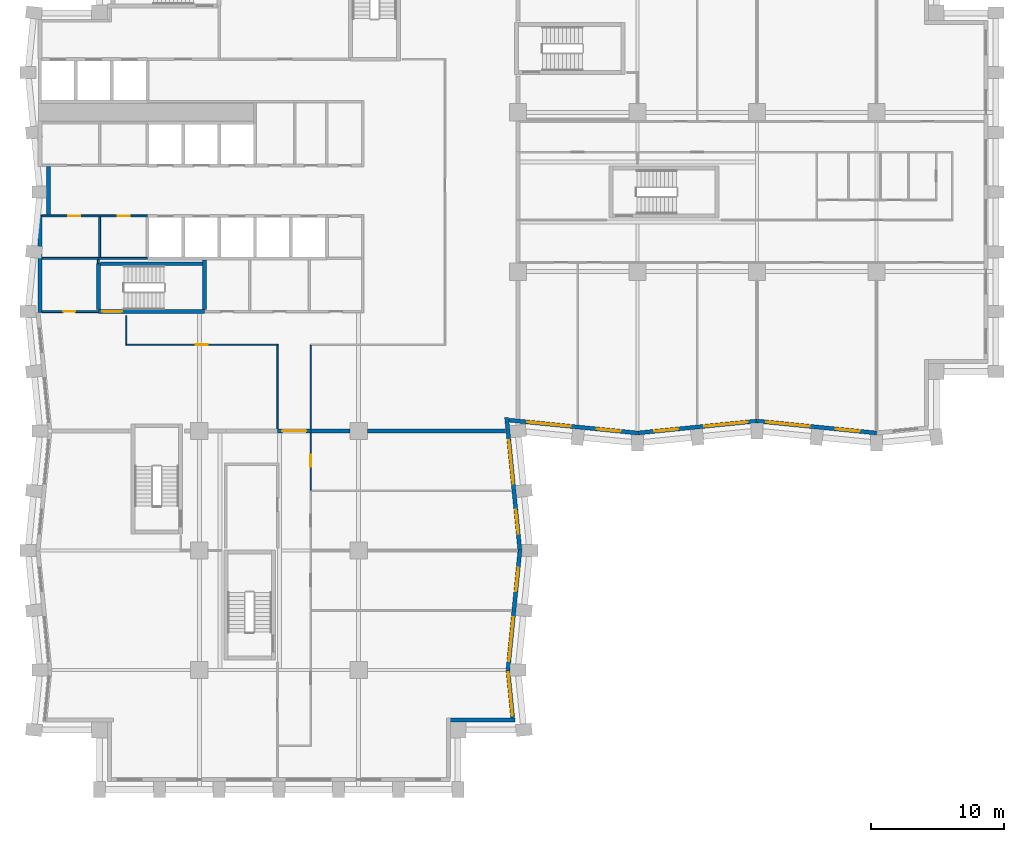
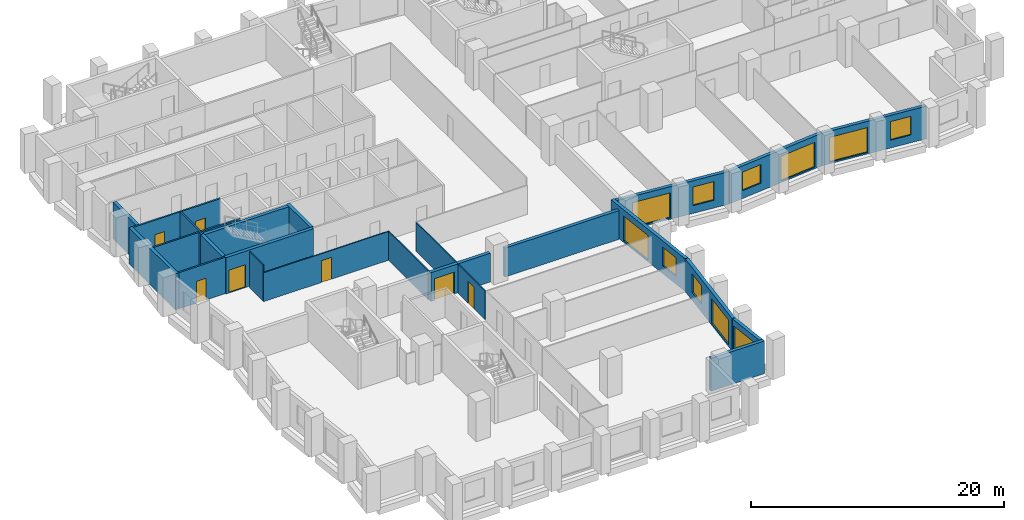
# One storey, part 4 of 11: 26 walls, 11 windows, 7 doors, 18 openings.
"""IFC4 building model written with IfcOpenShell, lengths in metres."""

from ifc_helpers import new_model, si_unit, direction, frame, frame_2d, origin, place, context, subcontext, project, spatial, rectangle, extrude, material, layer, layer_set, type_object, element, fill, save


model = new_model("IFC4")

# Units and contexts
model_context = context("Model", 3, precision=1e-05, world=origin(), true_north=direction((0.0, 1.0)))
body_context = subcontext(model_context, "Body", "Model", "MODEL_VIEW")
ifc_project = project(units=[si_unit("LENGTHUNIT", "METRE"), si_unit("AREAUNIT", "SQUARE_METRE"), si_unit("VOLUMEUNIT", "CUBIC_METRE"), si_unit("PLANEANGLEUNIT", "RADIAN"), si_unit("MASSUNIT", "GRAM", prefix="KILO")], contexts=[model_context])

# Site, building, storey
site_placement = place(None, origin())
site = spatial("IfcSite", under=ifc_project, at=site_placement, CompositionType="ELEMENT")
building_placement = place(site_placement, origin())
building = spatial("IfcBuilding", under=site, at=building_placement, Name="Brondeck Convention Tower", CompositionType="ELEMENT")
storey_placement = place(building_placement, frame((0.0, 0.0, 126.5)))
storey = spatial("IfcBuildingStorey", under=building, at=storey_placement, Name="L30", CompositionType="ELEMENT", Elevation=126.5)

# Wall, opening, door
ifc_material_1 = material(Name="Concrete compartment wall C30/37", Category="concrete")
ifc_layer_1 = layer(ifc_material_1, 0.300048828125)
ifc_layer_set_1 = layer_set([ifc_layer_1], Name="Compartment wall 300")
wall_type_1 = type_object("IfcWallType", Name="Compartment wall 300", PredefinedType="PARTITIONING", material=ifc_layer_set_1)
wall_1_placement = place(storey_placement, frame((20.39990234375, 27.0, 0.0), z_axis=(0.0, 0.0, 1.0), x_axis=(-1.0, 0.0, 0.0)))
wall_1 = element("IfcWall", 1, at=wall_1_placement, inside=storey, type_object=wall_type_1, Name="FLR-L30-W022", PredefinedType="PARTITIONING", context=body_context, shape_type="SweptSolid", body=[
    extrude(rectangle(XDim=2.5, YDim=0.300048828125, at=frame_2d((1.25, 0.0))), origin(), (0.0, 0.0, 1.0), 2.780029296875),
])
opening_1_placement = place(wall_1_placement, frame((0.35009765625, 0.0, 0.0)))
opening_1 = element("IfcOpeningElement", 2, at=opening_1_placement, cuts=wall_1, Name="Opening OF-D-025", PredefinedType="OPENING", context=body_context, shape_type="SweptSolid", body=[
    extrude(rectangle(XDim=1.800048828125, YDim=2.10009765625, at=frame_2d((0.89990234375, 1.050048828125))), frame((0.0, 0.159912109375, 0.0), z_axis=(0.0, -1.0, 0.0), x_axis=(1.0, 0.0, 0.0)), (0.0, 0.0, 1.0), 0.320068359375),
])
ifc_material_2 = material(Name="Steel fire door pair", Category="steel")
door_type_1 = type_object("IfcDoorType", Name="Fire door pair 1800", OperationType="DOUBLE_DOOR_SINGLE_SWING", PredefinedType="DOOR", material=ifc_material_2)
door_1_placement = place(opening_1_placement, origin())
door_1 = element("IfcDoor", 3, at=door_1_placement, inside=storey, type_object=door_type_1, Name="Door OF-D-025", OperationType="DOUBLE_DOOR_SINGLE_SWING", OverallHeight=2.10009765625, OverallWidth=1.800048828125, PredefinedType="DOOR", context=body_context, shape_type="SweptSolid", body=[
    extrude(rectangle(XDim=1.800048828125, YDim=2.10009765625, at=frame_2d((0.89990234375, 1.050048828125))), frame((0.0, 0.02490234375, 0.0), z_axis=(0.0, -1.0, 0.0), x_axis=(1.0, 0.0, 0.0)), (0.0, 0.0, 1.0), 0.050048828125),
])
fill(opening_1, door_1)

# Walls
wall_2_placement = place(storey_placement, frame((20.39990234375, 27.0, 0.0), z_axis=(0.0, 0.0, 1.0), x_axis=(1.0, 0.0, 0.0)))
element("IfcWall", 4, at=wall_2_placement, inside=storey, type_object=wall_type_1, Name="FLR-L30-W023", PredefinedType="PARTITIONING", context=body_context, shape_type="SweptSolid", body=[
    extrude(rectangle(XDim=2.945068359375, YDim=0.300048828125, at=frame_2d((1.47265625, 0.0))), origin(), (0.0, 0.0, 1.0), 2.780029296875),
])
wall_3_placement = place(storey_placement, frame((24.655029296875, 27.0, 0.0), z_axis=(0.0, 0.0, 1.0), x_axis=(1.0, 0.0, 0.0)))
element("IfcWall", 5, at=wall_3_placement, inside=storey, type_object=wall_type_1, Name="FLR-L30-W024", PredefinedType="PARTITIONING", context=body_context, shape_type="SweptSolid", body=[
    extrude(rectangle(XDim=10.42041015625, YDim=0.300048828125, at=frame_2d((5.210205078125, 0.0))), origin(), (0.0, 0.0, 1.0), 2.780029296875),
])
ifc_material_3 = material(Name="Concrete C70/85", Category="concrete")
ifc_layer_2 = layer(ifc_material_3, 0.300048828125)
ifc_layer_set_2 = layer_set([ifc_layer_2], Name="Core outer wall 300 Concrete C70/85")
wall_type_2 = type_object("IfcWallType", Name="Core outer wall 300 Concrete C70/85", PredefinedType="SHEAR", material=ifc_layer_set_2)
wall_4_placement = place(storey_placement, frame((0.0, 35.925048828125, 0.0), z_axis=(0.0, 0.0, 1.0), x_axis=(0.0, 1.0, 0.0)))
element("IfcWall", 6, at=wall_4_placement, inside=storey, type_object=wall_type_2, Name="L30 core wall", PredefinedType="SHEAR", context=body_context, shape_type="SweptSolid", body=[
    extrude(rectangle(XDim=7.349853515625, YDim=0.300048828125, at=frame_2d((3.6748046875, 0.0))), origin(), (0.0, 0.0, 1.0), 3.5),
])
wall_5_placement = place(storey_placement, frame((0.64990234375, 43.27490234375, 0.0), z_axis=(0.0, 0.0, 1.0), x_axis=(0.0, 1.0, 0.0)))
element("IfcWall", 7, at=wall_5_placement, inside=storey, type_object=wall_type_2, Name="L30 core wall", PredefinedType="SHEAR", context=body_context, shape_type="SweptSolid", body=[
    extrude(rectangle(XDim=3.650146484375, YDim=0.300048828125, at=frame_2d((1.8251953125, 0.0))), origin(), (0.0, 0.0, 1.0), 3.5),
])

# Wall, opening, door
ifc_material_4 = material(Name="Fire-rated gypsum board partition")
ifc_layer_3 = layer(ifc_material_4, 0.14990234375)
ifc_layer_set_3 = layer_set([ifc_layer_3], Name="Core partition 150 EI 60")
wall_type_3 = type_object("IfcWallType", Name="Core partition 150 EI 60", PredefinedType="PARTITIONING", material=ifc_layer_set_3)
wall_6_placement = place(storey_placement, frame((0.14990234375, 36.0, 0.0), z_axis=(0.0, 0.0, 1.0), x_axis=(1.0, 0.0, 0.0)))
wall_6 = element("IfcWall", 8, at=wall_6_placement, inside=storey, type_object=wall_type_3, Name="L30 core wall", PredefinedType="PARTITIONING", context=body_context, shape_type="SweptSolid", body=[
    extrude(rectangle(XDim=4.25, YDim=0.14990234375, at=frame_2d((2.125, 0.0))), origin(), (0.0, 0.0, 1.0), 3.5),
])
opening_2_placement = place(wall_6_placement, frame((1.60009765625, 0.0, 0.0)))
opening_2 = element("IfcOpeningElement", 9, at=opening_2_placement, cuts=wall_6, Name="Opening C17-06", PredefinedType="OPENING", context=body_context, shape_type="SweptSolid", body=[
    extrude(rectangle(XDim=0.89990234375, YDim=2.10009765625, at=frame_2d((0.449951171875, 1.050048828125))), frame((0.0, 0.0849609375, 0.0), z_axis=(0.0, -1.0, 0.0), x_axis=(1.0, 0.0, 0.0)), (0.0, 0.0, 1.0), 0.169921875),
])
ifc_material_5 = material(Name="Steel fire door", Category="steel")
door_type_2 = type_object("IfcDoorType", Name="Room door 900x2100 EI 60", OperationType="NOTDEFINED", PredefinedType="DOOR", material=ifc_material_5)
door_2_placement = place(opening_2_placement, origin())
door_2 = element("IfcDoor", 10, at=door_2_placement, inside=storey, type_object=door_type_2, Name="L30 Room door FRW-1", OperationType="SINGLE_SWING_LEFT", OverallHeight=2.10009765625, OverallWidth=0.89990234375, PredefinedType="DOOR", context=body_context, shape_type="SweptSolid", body=[
    extrude(rectangle(XDim=0.89990234375, YDim=2.10009765625, at=frame_2d((0.449951171875, 1.050048828125))), frame((0.0, 0.02490234375, 0.0), z_axis=(0.0, -1.0, 0.0), x_axis=(1.0, 0.0, 0.0)), (0.0, 0.0, 1.0), 0.050048828125),
])
fill(opening_2, door_2)

# Wall
wall_7_placement = place(storey_placement, frame((0.14990234375, 40.0, 0.0), z_axis=(0.0, 0.0, 1.0), x_axis=(1.0, 0.0, 0.0)))
element("IfcWall", 11, at=wall_7_placement, inside=storey, type_object=wall_type_3, Name="L30 core wall", PredefinedType="PARTITIONING", context=body_context, shape_type="SweptSolid", body=[
    extrude(rectangle(XDim=7.9501953125, YDim=0.14990234375, at=frame_2d((3.97509765625, 0.0))), origin(), (0.0, 0.0, 1.0), 3.5),
])

# Wall, openings, doors
wall_8_placement = place(storey_placement, frame((0.14990234375, 43.199951171875, 0.0), z_axis=(0.0, 0.0, 1.0), x_axis=(1.0, 0.0, 0.0)))
wall_8 = element("IfcWall", 12, at=wall_8_placement, inside=storey, type_object=wall_type_3, Name="L30 core wall", PredefinedType="PARTITIONING", context=body_context, shape_type="SweptSolid", body=[
    extrude(rectangle(XDim=7.9501953125, YDim=0.14990234375, at=frame_2d((3.97509765625, 0.0))), origin(), (0.0, 0.0, 1.0), 3.5),
])
opening_3_placement = place(wall_8_placement, frame((1.97509765625, 0.0, 0.0)))
opening_3 = element("IfcOpeningElement", 13, at=opening_3_placement, cuts=wall_8, Name="Opening C17-11", PredefinedType="OPENING", context=body_context, shape_type="SweptSolid", body=[
    extrude(rectangle(XDim=0.89990234375, YDim=2.10009765625, at=frame_2d((0.449951171875, 1.050048828125))), frame((0.0, 0.0849609375, 0.0), z_axis=(0.0, -1.0, 0.0), x_axis=(1.0, 0.0, 0.0)), (0.0, 0.0, 1.0), 0.169921875),
])
opening_4_placement = place(wall_8_placement, frame((5.699951171875, 0.0, 0.0)))
opening_4 = element("IfcOpeningElement", 14, at=opening_4_placement, cuts=wall_8, Name="Opening C17-12", PredefinedType="OPENING", context=body_context, shape_type="SweptSolid", body=[
    extrude(rectangle(XDim=0.89990234375, YDim=2.10009765625, at=frame_2d((0.449951171875, 1.050048828125))), frame((0.0, 0.0849609375, 0.0), z_axis=(0.0, -1.0, 0.0), x_axis=(1.0, 0.0, 0.0)), (0.0, 0.0, 1.0), 0.169921875),
])
door_3_placement = place(opening_3_placement, origin())
door_3 = element("IfcDoor", 15, at=door_3_placement, inside=storey, type_object=door_type_2, Name="L30 Room door FZ-S-0-1", OperationType="SINGLE_SWING_LEFT", OverallHeight=2.10009765625, OverallWidth=0.89990234375, PredefinedType="DOOR", context=body_context, shape_type="SweptSolid", body=[
    extrude(rectangle(XDim=0.89990234375, YDim=2.10009765625, at=frame_2d((0.449951171875, 1.050048828125))), frame((0.0, 0.02490234375, 0.0), z_axis=(0.0, -1.0, 0.0), x_axis=(1.0, 0.0, 0.0)), (0.0, 0.0, 1.0), 0.050048828125),
])
fill(opening_3, door_3)
door_4_placement = place(opening_4_placement, origin())
door_4 = element("IfcDoor", 16, at=door_4_placement, inside=storey, type_object=door_type_2, Name="L30 Room door FZ-S-0-2", OperationType="SINGLE_SWING_RIGHT", OverallHeight=2.10009765625, OverallWidth=0.89990234375, PredefinedType="DOOR", context=body_context, shape_type="SweptSolid", body=[
    extrude(rectangle(XDim=0.89990234375, YDim=2.10009765625, at=frame_2d((0.449951171875, 1.050048828125))), frame((0.0, 0.02490234375, 0.0), z_axis=(0.0, -1.0, 0.0), x_axis=(1.0, 0.0, 0.0)), (0.0, 0.0, 1.0), 0.050048828125),
])
fill(opening_4, door_4)

# Walls
wall_9_placement = place(storey_placement, frame((4.39990234375, 39.60009765625, 0.0), z_axis=(0.0, 0.0, 1.0), x_axis=(0.0, 1.0, 0.0)))
element("IfcWall", 17, at=wall_9_placement, inside=storey, type_object=wall_type_3, Name="L30 core wall", PredefinedType="PARTITIONING", context=body_context, shape_type="SweptSolid", body=[
    extrude(rectangle(XDim=0.324951171875, YDim=0.14990234375, at=frame_2d((0.16259765625, 0.0))), origin(), (0.0, 0.0, 1.0), 3.5),
])
wall_10_placement = place(storey_placement, frame((4.5, 40.074951171875, 0.0), z_axis=(0.0, 0.0, 1.0), x_axis=(0.0, 1.0, 0.0)))
element("IfcWall", 18, at=wall_10_placement, inside=storey, type_object=wall_type_3, Name="L30 core wall", PredefinedType="PARTITIONING", context=body_context, shape_type="SweptSolid", body=[
    extrude(rectangle(XDim=3.050048828125, YDim=0.14990234375, at=frame_2d((1.52490234375, 0.0))), origin(), (0.0, 0.0, 1.0), 3.5),
])
ifc_material_6 = material(Name="Precast concrete C50/60 bronze finish", Category="concrete")
ifc_layer_4 = layer(ifc_material_6, 0.070068359375, Name="Bronze precast facing")
ifc_material_7 = material(Name="Mineral wool")
ifc_layer_5 = layer(ifc_material_7, 0.159912109375, Name="Insulation")
ifc_material_8 = material(Name="Concrete C35/45", Category="concrete")
ifc_layer_6 = layer(ifc_material_8, 0.070068359375, Name="Backing")
ifc_layer_set_4 = layer_set([ifc_layer_4, ifc_layer_5, ifc_layer_6], Name="External infill wall, precast concrete C50/60 bronze facing")
wall_type_4 = type_object("IfcWallType", Name="External infill wall, precast concrete C50/60 bronze facing", PredefinedType="SOLIDWALL", material=ifc_layer_set_4)
wall_11_placement = place(storey_placement, frame((35.787109375, 5.25, 0.0), z_axis=(0.0, 0.0, 1.0), x_axis=(-1.0, 0.0, 0.0)))
element("IfcWall", 19, at=wall_11_placement, inside=storey, type_object=wall_type_4, Name="ENV-EW-L30-P0-NC-SEB0-02", PredefinedType="SOLIDWALL", context=body_context, shape_type="SweptSolid", body=[
    extrude(rectangle(XDim=4.88720703125, YDim=0.300048828125, at=frame_2d((2.443603515625, 0.0))), origin(), (0.0, 0.0, 1.0), 3.14990234375),
])

# Wall, opening, window
wall_12_placement = place(storey_placement, frame((35.244873046875, 9.014892578125, 0.0), z_axis=(0.0, 0.0, 1.0), x_axis=(0.099470401798, -0.995040521369, 0.0)))
wall_12 = element("IfcWall", 20, at=wall_12_placement, inside=storey, type_object=wall_type_4, Name="ENV-EW-L30-P0-B-E-04", PredefinedType="SOLIDWALL", context=body_context, shape_type="SweptSolid", body=[
    extrude(rectangle(XDim=3.627685546875, YDim=0.300048828125, at=frame_2d((1.81396484375, 0.0))), origin(), (0.0, 0.0, 1.0), 3.14990234375),
])
opening_5_placement = place(wall_12_placement, frame((0.177734375, 0.0, 0.14990234375)))
opening_5 = element("IfcOpeningElement", 21, at=opening_5_placement, cuts=wall_12, Name="Opening W9", PredefinedType="OPENING", context=body_context, shape_type="SweptSolid", body=[
    extrude(rectangle(XDim=3.300048828125, YDim=2.39990234375, at=frame_2d((1.64990234375, 1.199951171875))), frame((0.0, 0.159912109375, 0.0), z_axis=(0.0, -1.0, 0.0), x_axis=(1.0, 0.0, 0.0)), (0.0, 0.0, 1.0), 0.320068359375),
])
ifc_material_9 = material(Name="Bronze tinted double glazing", Category="glass")
window_type_1 = type_object("IfcWindowType", Name="Glazed flute window, bronze tinted", PartitioningType="SINGLE_PANEL", PredefinedType="WINDOW", material=ifc_material_9)
window_1_placement = place(opening_5_placement, origin())
window_1 = element("IfcWindow", 22, at=window_1_placement, inside=storey, type_object=window_type_1, Name="ENV-WN-L30-P0-B-E-04", OverallHeight=2.39990234375, OverallWidth=3.300048828125, PartitioningType="SINGLE_PANEL", PredefinedType="WINDOW", context=body_context, shape_type="SweptSolid", body=[
    extrude(rectangle(XDim=3.300048828125, YDim=2.39990234375, at=frame_2d((1.64990234375, 1.199951171875))), frame((0.0, 0.030029296875, 0.0), z_axis=(0.0, -1.0, 0.0), x_axis=(1.0, 0.0, 0.0)), (0.0, 0.0, 1.0), 0.06005859375),
])
fill(opening_5, window_1)

# Wall, openings, windows
wall_13_placement = place(storey_placement, frame((36.147705078125, 18.014892578125, 0.0), z_axis=(0.0, 0.0, 1.0), x_axis=(-0.099495688264, -0.995037993253, 0.0)))
wall_13 = element("IfcWall", 23, at=wall_13_placement, inside=storey, type_object=wall_type_4, Name="ENV-EW-L30-P0-B-E-03", PredefinedType="SOLIDWALL", context=body_context, shape_type="SweptSolid", body=[
    extrude(rectangle(XDim=9.030029296875, YDim=0.300048828125, at=frame_2d((4.51513671875, 0.0))), origin(), (0.0, 0.0, 1.0), 3.14990234375),
])
opening_6_placement = place(wall_13_placement, frame((1.30126953125, 0.0, 0.75)))
opening_6 = element("IfcOpeningElement", 24, at=opening_6_placement, cuts=wall_13, Name="Opening W10", PredefinedType="OPENING", context=body_context, shape_type="SweptSolid", body=[
    extrude(rectangle(XDim=1.800048828125, YDim=1.800048828125, at=frame_2d((0.89990234375, 0.89990234375))), frame((0.0, 0.159912109375, 0.0), z_axis=(0.0, -1.0, 0.0), x_axis=(1.0, 0.0, 0.0)), (0.0, 0.0, 1.0), 0.320068359375),
])
opening_7_placement = place(wall_13_placement, frame((5.073486328125, 0.0, 0.14990234375)))
opening_7 = element("IfcOpeningElement", 25, at=opening_7_placement, cuts=wall_13, Name="Opening W9", PredefinedType="OPENING", context=body_context, shape_type="SweptSolid", body=[
    extrude(rectangle(XDim=3.300048828125, YDim=2.39990234375, at=frame_2d((1.64990234375, 1.199951171875))), frame((0.0, 0.159912109375, 0.0), z_axis=(0.0, -1.0, 0.0), x_axis=(1.0, 0.0, 0.0)), (0.0, 0.0, 1.0), 0.320068359375),
])
window_2_placement = place(opening_7_placement, origin())
window_2 = element("IfcWindow", 26, at=window_2_placement, inside=storey, type_object=window_type_1, Name="ENV-WN-L30-P0-B-E-03", OverallHeight=2.39990234375, OverallWidth=3.300048828125, PartitioningType="SINGLE_PANEL", PredefinedType="WINDOW", context=body_context, shape_type="SweptSolid", body=[
    extrude(rectangle(XDim=3.300048828125, YDim=2.39990234375, at=frame_2d((1.64990234375, 1.199951171875))), frame((0.0, 0.030029296875, 0.0), z_axis=(0.0, -1.0, 0.0), x_axis=(1.0, 0.0, 0.0)), (0.0, 0.0, 1.0), 0.06005859375),
])
fill(opening_7, window_2)
window_type_2 = type_object("IfcWindowType", Name="Punched window, bronze tinted", PartitioningType="SINGLE_PANEL", PredefinedType="WINDOW", material=ifc_material_9)
window_3_placement = place(opening_6_placement, origin())
window_3 = element("IfcWindow", 27, at=window_3_placement, inside=storey, type_object=window_type_2, Name="ENV-WN-L30-P0-B-E-02", OverallHeight=1.800048828125, OverallWidth=1.800048828125, PartitioningType="SINGLE_PANEL", PredefinedType="WINDOW", context=body_context, shape_type="SweptSolid", body=[
    extrude(rectangle(XDim=1.800048828125, YDim=1.800048828125, at=frame_2d((0.89990234375, 0.89990234375))), frame((0.0, 0.030029296875, 0.0), z_axis=(0.0, -1.0, 0.0), x_axis=(1.0, 0.0, 0.0)), (0.0, 0.0, 1.0), 0.06005859375),
])
fill(opening_6, window_3)

wall_14_placement = place(storey_placement, frame((35.144287109375, 28.02001953125, 0.0), z_axis=(0.0, 0.0, 1.0), x_axis=(0.099503719021, -0.99503719021, 0.0)))
wall_14 = element("IfcWall", 28, at=wall_14_placement, inside=storey, type_object=wall_type_4, Name="ENV-EW-L30-P0-B-E-01", PredefinedType="SOLIDWALL", context=body_context, shape_type="SweptSolid", body=[
    extrude(rectangle(XDim=10.0400390625, YDim=0.300048828125, at=frame_2d((5.02001953125, 0.0))), origin(), (0.0, 0.0, 1.0), 3.14990234375),
])
opening_8_placement = place(wall_14_placement, frame((1.711181640625, 0.0, 0.14990234375)))
opening_8 = element("IfcOpeningElement", 29, at=opening_8_placement, cuts=wall_14, Name="Opening W9", PredefinedType="OPENING", context=body_context, shape_type="SweptSolid", body=[
    extrude(rectangle(XDim=3.300048828125, YDim=2.39990234375, at=frame_2d((1.64990234375, 1.199951171875))), frame((0.0, 0.159912109375, 0.0), z_axis=(0.0, -1.0, 0.0), x_axis=(1.0, 0.0, 0.0)), (0.0, 0.0, 1.0), 0.320068359375),
])
opening_9_placement = place(wall_14_placement, frame((6.983642578125, 0.0, 0.75)))
opening_9 = element("IfcOpeningElement", 30, at=opening_9_placement, cuts=wall_14, Name="Opening W10", PredefinedType="OPENING", context=body_context, shape_type="SweptSolid", body=[
    extrude(rectangle(XDim=1.800048828125, YDim=1.800048828125, at=frame_2d((0.89990234375, 0.89990234375))), frame((0.0, 0.159912109375, 0.0), z_axis=(0.0, -1.0, 0.0), x_axis=(1.0, 0.0, 0.0)), (0.0, 0.0, 1.0), 0.320068359375),
])
window_4_placement = place(opening_8_placement, origin())
window_4 = element("IfcWindow", 31, at=window_4_placement, inside=storey, type_object=window_type_1, Name="ENV-WN-L30-P0-B-E-00", OverallHeight=2.39990234375, OverallWidth=3.300048828125, PartitioningType="SINGLE_PANEL", PredefinedType="WINDOW", context=body_context, shape_type="SweptSolid", body=[
    extrude(rectangle(XDim=3.300048828125, YDim=2.39990234375, at=frame_2d((1.64990234375, 1.199951171875))), frame((0.0, 0.030029296875, 0.0), z_axis=(0.0, -1.0, 0.0), x_axis=(1.0, 0.0, 0.0)), (0.0, 0.0, 1.0), 0.06005859375),
])
fill(opening_8, window_4)
window_5_placement = place(opening_9_placement, origin())
window_5 = element("IfcWindow", 32, at=window_5_placement, inside=storey, type_object=window_type_2, Name="ENV-WN-L30-P0-B-E-01", OverallHeight=1.800048828125, OverallWidth=1.800048828125, PartitioningType="SINGLE_PANEL", PredefinedType="WINDOW", context=body_context, shape_type="SweptSolid", body=[
    extrude(rectangle(XDim=1.800048828125, YDim=1.800048828125, at=frame_2d((0.89990234375, 0.89990234375))), frame((0.0, 0.030029296875, 0.0), z_axis=(0.0, -1.0, 0.0), x_axis=(1.0, 0.0, 0.0)), (0.0, 0.0, 1.0), 0.06005859375),
])
fill(opening_9, window_5)

wall_15_placement = place(storey_placement, frame((45.014892578125, 26.852294921875, 0.0), z_axis=(0.0, 0.0, 1.0), x_axis=(-0.995037438546, 0.099501235631, 0.0)))
wall_15 = element("IfcWall", 33, at=wall_15_placement, inside=storey, type_object=wall_type_4, Name="ENV-EW-L30-P0-A-S-00", PredefinedType="SOLIDWALL", context=body_context, shape_type="SweptSolid", body=[
    extrude(rectangle(XDim=9.733642578125, YDim=0.300048828125, at=frame_2d((4.86669921875, 0.0))), origin(), (0.0, 0.0, 1.0), 3.14990234375),
])
opening_10_placement = place(wall_15_placement, frame((1.30126953125, 0.0, 0.75)))
opening_10 = element("IfcOpeningElement", 34, at=opening_10_placement, cuts=wall_15, Name="Opening W10", PredefinedType="OPENING", context=body_context, shape_type="SweptSolid", body=[
    extrude(rectangle(XDim=1.800048828125, YDim=1.800048828125, at=frame_2d((0.89990234375, 0.89990234375))), frame((0.0, 0.159912109375, 0.0), z_axis=(0.0, -1.0, 0.0), x_axis=(1.0, 0.0, 0.0)), (0.0, 0.0, 1.0), 0.320068359375),
])
opening_11_placement = place(wall_15_placement, frame((5.073486328125, 0.0, 0.14990234375)))
opening_11 = element("IfcOpeningElement", 35, at=opening_11_placement, cuts=wall_15, Name="Opening W9", PredefinedType="OPENING", context=body_context, shape_type="SweptSolid", body=[
    extrude(rectangle(XDim=3.300048828125, YDim=2.39990234375, at=frame_2d((1.64990234375, 1.199951171875))), frame((0.0, 0.159912109375, 0.0), z_axis=(0.0, -1.0, 0.0), x_axis=(1.0, 0.0, 0.0)), (0.0, 0.0, 1.0), 0.320068359375),
])
window_6_placement = place(opening_11_placement, origin())
window_6 = element("IfcWindow", 36, at=window_6_placement, inside=storey, type_object=window_type_1, Name="ENV-WN-L30-P0-A-S-00", OverallHeight=2.39990234375, OverallWidth=3.300048828125, PartitioningType="SINGLE_PANEL", PredefinedType="WINDOW", context=body_context, shape_type="SweptSolid", body=[
    extrude(rectangle(XDim=3.300048828125, YDim=2.39990234375, at=frame_2d((1.64990234375, 1.199951171875))), frame((0.0, 0.030029296875, 0.0), z_axis=(0.0, -1.0, 0.0), x_axis=(1.0, 0.0, 0.0)), (0.0, 0.0, 1.0), 0.06005859375),
])
fill(opening_11, window_6)
window_7_placement = place(opening_10_placement, origin())
window_7 = element("IfcWindow", 37, at=window_7_placement, inside=storey, type_object=window_type_2, Name="ENV-WN-L30-P0-A-S-01", OverallHeight=1.800048828125, OverallWidth=1.800048828125, PartitioningType="SINGLE_PANEL", PredefinedType="WINDOW", context=body_context, shape_type="SweptSolid", body=[
    extrude(rectangle(XDim=1.800048828125, YDim=1.800048828125, at=frame_2d((0.89990234375, 0.89990234375))), frame((0.0, 0.030029296875, 0.0), z_axis=(0.0, -1.0, 0.0), x_axis=(1.0, 0.0, 0.0)), (0.0, 0.0, 1.0), 0.06005859375),
])
fill(opening_10, window_7)

wall_16_placement = place(storey_placement, frame((54.014892578125, 27.755126953125, 0.0), z_axis=(0.0, 0.0, 1.0), x_axis=(-0.995037993253, -0.099495688264, 0.0)))
wall_16 = element("IfcWall", 38, at=wall_16_placement, inside=storey, type_object=wall_type_4, Name="ENV-EW-L30-P0-A-S-02", PredefinedType="SOLIDWALL", context=body_context, shape_type="SweptSolid", body=[
    extrude(rectangle(XDim=9.030029296875, YDim=0.300048828125, at=frame_2d((4.51513671875, 0.0))), origin(), (0.0, 0.0, 1.0), 3.14990234375),
])
opening_12_placement = place(wall_16_placement, frame((0.701171875, 0.0, 0.14990234375)))
opening_12 = element("IfcOpeningElement", 39, at=opening_12_placement, cuts=wall_16, Name="Opening W9", PredefinedType="OPENING", context=body_context, shape_type="SweptSolid", body=[
    extrude(rectangle(XDim=3.300048828125, YDim=2.39990234375, at=frame_2d((1.64990234375, 1.199951171875))), frame((0.0, 0.159912109375, 0.0), z_axis=(0.0, -1.0, 0.0), x_axis=(1.0, 0.0, 0.0)), (0.0, 0.0, 1.0), 0.320068359375),
])
opening_13_placement = place(wall_16_placement, frame((5.9736328125, 0.0, 0.75)))
opening_13 = element("IfcOpeningElement", 40, at=opening_13_placement, cuts=wall_16, Name="Opening W10", PredefinedType="OPENING", context=body_context, shape_type="SweptSolid", body=[
    extrude(rectangle(XDim=1.800048828125, YDim=1.800048828125, at=frame_2d((0.89990234375, 0.89990234375))), frame((0.0, 0.159912109375, 0.0), z_axis=(0.0, -1.0, 0.0), x_axis=(1.0, 0.0, 0.0)), (0.0, 0.0, 1.0), 0.320068359375),
])
window_8_placement = place(opening_12_placement, origin())
window_8 = element("IfcWindow", 41, at=window_8_placement, inside=storey, type_object=window_type_1, Name="ENV-WN-L30-P0-A-S-03", OverallHeight=2.39990234375, OverallWidth=3.300048828125, PartitioningType="SINGLE_PANEL", PredefinedType="WINDOW", context=body_context, shape_type="SweptSolid", body=[
    extrude(rectangle(XDim=3.300048828125, YDim=2.39990234375, at=frame_2d((1.64990234375, 1.199951171875))), frame((0.0, 0.030029296875, 0.0), z_axis=(0.0, -1.0, 0.0), x_axis=(1.0, 0.0, 0.0)), (0.0, 0.0, 1.0), 0.06005859375),
])
fill(opening_12, window_8)
window_9_placement = place(opening_13_placement, origin())
window_9 = element("IfcWindow", 42, at=window_9_placement, inside=storey, type_object=window_type_2, Name="ENV-WN-L30-P0-A-S-02", OverallHeight=1.800048828125, OverallWidth=1.800048828125, PartitioningType="SINGLE_PANEL", PredefinedType="WINDOW", context=body_context, shape_type="SweptSolid", body=[
    extrude(rectangle(XDim=1.800048828125, YDim=1.800048828125, at=frame_2d((0.89990234375, 0.89990234375))), frame((0.0, 0.030029296875, 0.0), z_axis=(0.0, -1.0, 0.0), x_axis=(1.0, 0.0, 0.0)), (0.0, 0.0, 1.0), 0.06005859375),
])
fill(opening_13, window_9)

wall_17_placement = place(storey_placement, frame((63.014892578125, 26.852294921875, 0.0), z_axis=(0.0, 0.0, 1.0), x_axis=(-0.995037993253, 0.099495688264, 0.0)))
wall_17 = element("IfcWall", 43, at=wall_17_placement, inside=storey, type_object=wall_type_4, Name="ENV-EW-L30-P0-A-S-04", PredefinedType="SOLIDWALL", context=body_context, shape_type="SweptSolid", body=[
    extrude(rectangle(XDim=9.030029296875, YDim=0.300048828125, at=frame_2d((4.51513671875, 0.0))), origin(), (0.0, 0.0, 1.0), 3.14990234375),
])
opening_14_placement = place(wall_17_placement, frame((1.30126953125, 0.0, 0.75)))
opening_14 = element("IfcOpeningElement", 44, at=opening_14_placement, cuts=wall_17, Name="Opening W10", PredefinedType="OPENING", context=body_context, shape_type="SweptSolid", body=[
    extrude(rectangle(XDim=1.800048828125, YDim=1.800048828125, at=frame_2d((0.89990234375, 0.89990234375))), frame((0.0, 0.159912109375, 0.0), z_axis=(0.0, -1.0, 0.0), x_axis=(1.0, 0.0, 0.0)), (0.0, 0.0, 1.0), 0.320068359375),
])
opening_15_placement = place(wall_17_placement, frame((5.073486328125, 0.0, 0.14990234375)))
opening_15 = element("IfcOpeningElement", 45, at=opening_15_placement, cuts=wall_17, Name="Opening W9", PredefinedType="OPENING", context=body_context, shape_type="SweptSolid", body=[
    extrude(rectangle(XDim=3.300048828125, YDim=2.39990234375, at=frame_2d((1.64990234375, 1.199951171875))), frame((0.0, 0.159912109375, 0.0), z_axis=(0.0, -1.0, 0.0), x_axis=(1.0, 0.0, 0.0)), (0.0, 0.0, 1.0), 0.320068359375),
])
window_10_placement = place(opening_15_placement, origin())
window_10 = element("IfcWindow", 46, at=window_10_placement, inside=storey, type_object=window_type_1, Name="ENV-WN-L30-P0-A-S-04", OverallHeight=2.39990234375, OverallWidth=3.300048828125, PartitioningType="SINGLE_PANEL", PredefinedType="WINDOW", context=body_context, shape_type="SweptSolid", body=[
    extrude(rectangle(XDim=3.300048828125, YDim=2.39990234375, at=frame_2d((1.64990234375, 1.199951171875))), frame((0.0, 0.030029296875, 0.0), z_axis=(0.0, -1.0, 0.0), x_axis=(1.0, 0.0, 0.0)), (0.0, 0.0, 1.0), 0.06005859375),
])
fill(opening_15, window_10)
window_11_placement = place(opening_14_placement, origin())
window_11 = element("IfcWindow", 47, at=window_11_placement, inside=storey, type_object=window_type_2, Name="ENV-WN-L30-P0-A-S-05", OverallHeight=1.800048828125, OverallWidth=1.800048828125, PartitioningType="SINGLE_PANEL", PredefinedType="WINDOW", context=body_context, shape_type="SweptSolid", body=[
    extrude(rectangle(XDim=1.800048828125, YDim=1.800048828125, at=frame_2d((0.89990234375, 0.89990234375))), frame((0.0, 0.030029296875, 0.0), z_axis=(0.0, -1.0, 0.0), x_axis=(1.0, 0.0, 0.0)), (0.0, 0.0, 1.0), 0.06005859375),
])
fill(opening_14, window_11)

# Wall, opening, door
ifc_material_10 = material(Name="Gypsum board partition on steel studs", Category="steel")
ifc_layer_7 = layer(ifc_material_10, 0.10009765625)
ifc_layer_set_5 = layer_set([ifc_layer_7], Name="Room partition 100")
wall_type_5 = type_object("IfcWallType", Name="Room partition 100", PredefinedType="PARTITIONING", material=ifc_layer_set_5)
wall_18_placement = place(storey_placement, frame((20.39990234375, 26.830078125, 0.0), z_axis=(0.0, 0.0, 1.0), x_axis=(0.0, -1.0, 0.0)))
wall_18 = element("IfcWall", 48, at=wall_18_placement, inside=storey, type_object=wall_type_5, Name="FLR-L30-W017", PredefinedType="PARTITIONING", context=body_context, shape_type="SweptSolid", body=[
    extrude(rectangle(XDim=4.280029296875, YDim=0.10009765625, at=frame_2d((2.14013671875, 0.0))), origin(), (0.0, 0.0, 1.0), 2.780029296875),
])
opening_16_placement = place(wall_18_placement, frame((1.6298828125, 0.0, 0.0)))
opening_16 = element("IfcOpeningElement", 49, at=opening_16_placement, cuts=wall_18, Name="Opening OF-D-018", PredefinedType="OPENING", context=body_context, shape_type="SweptSolid", body=[
    extrude(rectangle(XDim=0.89990234375, YDim=2.10009765625, at=frame_2d((0.449951171875, 1.050048828125))), frame((0.0, 0.06005859375, 0.0), z_axis=(0.0, -1.0, 0.0), x_axis=(1.0, 0.0, 0.0)), (0.0, 0.0, 1.0), 0.1201171875),
])
ifc_material_11 = material(Name="Solid timber door leaf", Category="wood")
door_type_3 = type_object("IfcDoorType", Name="Single door 900", OperationType="NOTDEFINED", PredefinedType="DOOR", material=ifc_material_11)
door_5_placement = place(opening_16_placement, origin())
door_5 = element("IfcDoor", 50, at=door_5_placement, inside=storey, type_object=door_type_3, Name="Door OF-D-018", OperationType="SINGLE_SWING_LEFT", OverallHeight=2.10009765625, OverallWidth=0.89990234375, PredefinedType="DOOR", context=body_context, shape_type="SweptSolid", body=[
    extrude(rectangle(XDim=0.89990234375, YDim=2.10009765625, at=frame_2d((0.449951171875, 1.050048828125))), frame((0.0, 0.02490234375, 0.0), z_axis=(0.0, -1.0, 0.0), x_axis=(1.0, 0.0, 0.0)), (0.0, 0.0, 1.0), 0.050048828125),
])
fill(opening_16, door_5)

# Walls
for number, where, z_axis, x_axis, name in (
    (51, (17.89990234375, 27.169921875, 0.0), (0.0, 0.0, 1.0), (0.0, 1.0, 0.0), "FLR-L30-W025"),
    (52, (20.39990234375, 33.449951171875, 0.0), (0.0, 0.0, 1.0), (0.0, -1.0, 0.0), "FLR-L30-W027"),
):
    element("IfcWall", number, at=place(storey_placement, frame(where, z_axis=z_axis, x_axis=x_axis)), inside=storey, type_object=wall_type_5, Name=name, PredefinedType="PARTITIONING", context=body_context, shape_type="SweptSolid", body=[
        extrude(rectangle(XDim=6.280029296875, YDim=0.10009765625, at=frame_2d((3.14013671875, 0.0))), origin(), (0.0, 0.0, 1.0), 2.780029296875),
    ])

# Wall, opening, door
wall_19_placement = place(storey_placement, frame((17.949951171875, 33.5, 0.0), z_axis=(0.0, 0.0, 1.0), x_axis=(-1.0, 0.0, 0.0)))
wall_19 = element("IfcWall", 53, at=wall_19_placement, inside=storey, type_object=wall_type_5, Name="FLR-L30-W028", PredefinedType="PARTITIONING", context=body_context, shape_type="SweptSolid", body=[
    extrude(rectangle(XDim=11.5, YDim=0.10009765625, at=frame_2d((5.75, 0.0))), origin(), (0.0, 0.0, 1.0), 2.780029296875),
])
opening_17_placement = place(wall_19_placement, frame((5.300048828125, 0.0, 0.0)))
opening_17 = element("IfcOpeningElement", 54, at=opening_17_placement, cuts=wall_19, Name="Opening OF-D-023", PredefinedType="OPENING", context=body_context, shape_type="SweptSolid", body=[
    extrude(rectangle(XDim=0.89990234375, YDim=2.10009765625, at=frame_2d((0.449951171875, 1.050048828125))), frame((0.0, 0.06005859375, 0.0), z_axis=(0.0, -1.0, 0.0), x_axis=(1.0, 0.0, 0.0)), (0.0, 0.0, 1.0), 0.1201171875),
])
door_6_placement = place(opening_17_placement, origin())
door_6 = element("IfcDoor", 55, at=door_6_placement, inside=storey, type_object=door_type_3, Name="Door OF-D-023", OperationType="SINGLE_SWING_LEFT", OverallHeight=2.10009765625, OverallWidth=0.89990234375, PredefinedType="DOOR", context=body_context, shape_type="SweptSolid", body=[
    extrude(rectangle(XDim=0.89990234375, YDim=2.10009765625, at=frame_2d((0.449951171875, 1.050048828125))), frame((0.0, 0.02490234375, 0.0), z_axis=(0.0, -1.0, 0.0), x_axis=(1.0, 0.0, 0.0)), (0.0, 0.0, 1.0), 0.050048828125),
])
fill(opening_17, door_6)

# Wall
wall_20_placement = place(storey_placement, frame((6.5, 33.550048828125, 0.0), z_axis=(0.0, 0.0, 1.0), x_axis=(0.0, 1.0, 0.0)))
element("IfcWall", 56, at=wall_20_placement, inside=storey, type_object=wall_type_5, Name="FLR-L30-W030", PredefinedType="PARTITIONING", context=body_context, shape_type="SweptSolid", body=[
    extrude(rectangle(XDim=2.14990234375, YDim=0.10009765625, at=frame_2d((1.074951171875, 0.0))), origin(), (0.0, 0.0, 1.0), 3.47998046875),
])

# Wall, opening, door
ifc_layer_8 = layer(ifc_material_3, 0.300048828125)
ifc_layer_set_6 = layer_set([ifc_layer_8], Name="Stair enclosure wall 300 Concrete C70/85")
wall_type_6 = type_object("IfcWallType", Name="Stair enclosure wall 300 Concrete C70/85", PredefinedType="SHEAR", material=ifc_layer_set_6)
wall_21_placement = place(storey_placement, frame((4.39990234375, 36.0, 0.0), z_axis=(0.0, 0.0, 1.0), x_axis=(1.0, 0.0, 0.0)))
wall_21 = element("IfcWall", 57, at=wall_21_placement, inside=storey, type_object=wall_type_6, Name="L30 core wall", PredefinedType="SHEAR", context=body_context, shape_type="SweptSolid", body=[
    extrude(rectangle(XDim=8.0, YDim=0.300048828125, at=frame_2d((4.0, 0.0))), origin(), (0.0, 0.0, 1.0), 3.5),
])
opening_18_placement = place(wall_21_placement, frame((0.300048828125, 0.0, 0.0)))
opening_18 = element("IfcOpeningElement", 58, at=opening_18_placement, cuts=wall_21, Name="Opening C17-15", PredefinedType="OPENING", context=body_context, shape_type="SweptSolid", body=[
    extrude(rectangle(XDim=1.5, YDim=2.199951171875, at=frame_2d((0.75, 1.10009765625))), frame((0.0, 0.159912109375, 0.0), z_axis=(0.0, -1.0, 0.0), x_axis=(1.0, 0.0, 0.0)), (0.0, 0.0, 1.0), 0.320068359375),
])
door_type_4 = type_object("IfcDoorType", Name="Stair door 1500x2200 EI 90", OperationType="NOTDEFINED", PredefinedType="DOOR", material=ifc_material_5)
door_7_placement = place(opening_18_placement, origin())
door_7 = element("IfcDoor", 59, at=door_7_placement, inside=storey, type_object=door_type_4, Name="L30 Stair door ST-1", OperationType="SINGLE_SWING_RIGHT", OverallHeight=2.199951171875, OverallWidth=1.5, PredefinedType="DOOR", context=body_context, shape_type="SweptSolid", body=[
    extrude(rectangle(XDim=1.5, YDim=2.199951171875, at=frame_2d((0.75, 1.10009765625))), frame((0.0, 0.02490234375, 0.0), z_axis=(0.0, -1.0, 0.0), x_axis=(1.0, 0.0, 0.0)), (0.0, 0.0, 1.0), 0.050048828125),
])
fill(opening_18, door_7)

# Walls
wall_22_placement = place(storey_placement, frame((4.550048828125, 39.60009765625, 0.0), z_axis=(0.0, 0.0, 1.0), x_axis=(1.0, 0.0, 0.0)))
element("IfcWall", 60, at=wall_22_placement, inside=storey, type_object=wall_type_6, Name="L30 core wall", PredefinedType="SHEAR", context=body_context, shape_type="SweptSolid", body=[
    extrude(rectangle(XDim=7.699951171875, YDim=0.300048828125, at=frame_2d((3.85009765625, 0.0))), origin(), (0.0, 0.0, 1.0), 3.5),
])
wall_23_placement = place(storey_placement, frame((4.39990234375, 36.14990234375, 0.0), z_axis=(0.0, 0.0, 1.0), x_axis=(0.0, 1.0, 0.0)))
element("IfcWall", 61, at=wall_23_placement, inside=storey, type_object=wall_type_6, Name="L30 core wall", PredefinedType="SHEAR", context=body_context, shape_type="SweptSolid", body=[
    extrude(rectangle(XDim=3.4501953125, YDim=0.300048828125, at=frame_2d((1.72509765625, 0.0))), origin(), (0.0, 0.0, 1.0), 3.5),
])
wall_24_placement = place(storey_placement, frame((12.39990234375, 36.14990234375, 0.0), z_axis=(0.0, 0.0, 1.0), x_axis=(0.0, 1.0, 0.0)))
element("IfcWall", 62, at=wall_24_placement, inside=storey, type_object=wall_type_6, Name="L30 core wall", PredefinedType="SHEAR", context=body_context, shape_type="SweptSolid", body=[
    extrude(rectangle(XDim=3.72509765625, YDim=0.300048828125, at=frame_2d((1.862548828125, 0.0))), origin(), (0.0, 0.0, 1.0), 3.5),
])

save(model, "model.ifc")
